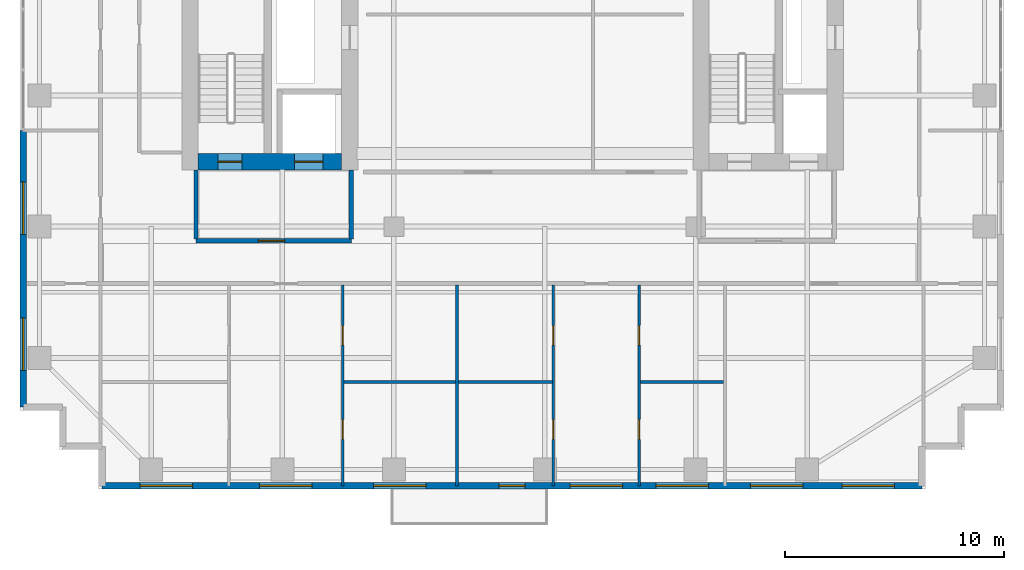
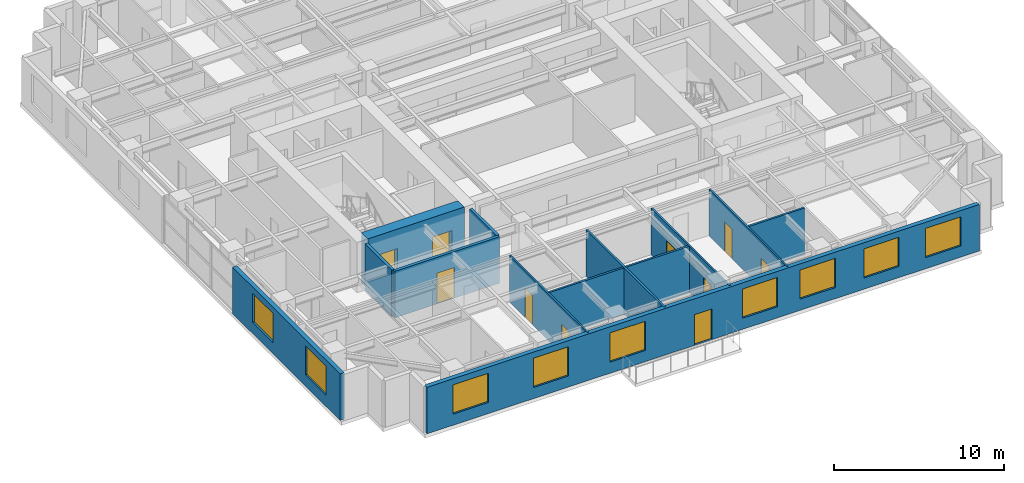
# One storey, part 8 of 16: 13 walls, 10 doors, 9 windows, 19 openings.
"""IFC4 building model written with IfcOpenShell, lengths in metres."""

from ifc_helpers import new_model, si_unit, direction, frame, frame_2d, origin, place, context, subcontext, project, spatial, rectangle, extrude, source, transform, mapped, material, layer, layer_set, type_object, element, fill, save


model = new_model("IFC4")

# Units and contexts
model_context = context("Model", 3, precision=1e-05, world=origin(), true_north=direction((0.0, 1.0)))
body_context = subcontext(model_context, "Body", "Model", "MODEL_VIEW")
ifc_project = project(units=[si_unit("LENGTHUNIT", "METRE"), si_unit("AREAUNIT", "SQUARE_METRE"), si_unit("VOLUMEUNIT", "CUBIC_METRE"), si_unit("PLANEANGLEUNIT", "RADIAN"), si_unit("MASSUNIT", "GRAM", prefix="KILO")], contexts=[model_context])

# Site, building, storey
site_placement = place(None, origin())
site = spatial("IfcSite", under=ifc_project, at=site_placement, CompositionType="ELEMENT")
building_placement = place(site_placement, origin())
building = spatial("IfcBuilding", under=site, at=building_placement, Name="Khoralis Quay Care Tower", CompositionType="ELEMENT")
storey_placement = place(building_placement, frame((0.0, 0.0, 137.699951171875)))
storey = spatial("IfcBuildingStorey", under=building, at=storey_placement, Name="L36", CompositionType="ELEMENT", Elevation=137.699951171875)

# Wall, opening, door
ifc_material_1 = material(Name="Gypsum plasterboard on acoustic metal stud")
ifc_layer_1 = layer(ifc_material_1, 0.199951171875)
ifc_layer_set_1 = layer_set([ifc_layer_1], Name="Gypsum plasterboard on acoustic metal stud")
wall_type_1 = type_object("IfcWallType", Name="WL-COMP-200", PredefinedType="PARTITIONING", material=ifc_layer_set_1)
wall_1_placement = place(storey_placement, frame((8.050048828125, 11.35009765625, 0.0), z_axis=(0.0, 0.0, 1.0), x_axis=(1.0, 0.0, 0.0)))
wall_1 = element("IfcWall", 1, at=wall_1_placement, inside=storey, type_object=wall_type_1, Name="L36 West Firefighting Lobby South Wall", PredefinedType="PARTITIONING", context=body_context, shape_type="SweptSolid", body=[
    extrude(rectangle(XDim=7.099853515625, YDim=0.199951171875, at=frame_2d((3.5498046875, 0.0))), origin(), (0.0, 0.0, 1.0), 3.340087890625),
])
opening_1_placement = place(wall_1_placement, frame((2.846435546875, 0.0, 0.0)))
opening_1 = element("IfcOpeningElement", 2, at=opening_1_placement, cuts=wall_1, Name="Opening FD1", PredefinedType="OPENING", context=body_context, shape_type="SweptSolid", body=[
    extrude(rectangle(XDim=1.199951171875, YDim=2.199951171875, at=frame_2d((0.60009765625, 1.10009765625))), frame((0.0, 0.10986328125, 0.0), z_axis=(0.0, -1.0, 0.0), x_axis=(1.0, 0.0, 0.0)), (0.0, 0.0, 1.0), 0.219970703125),
])
ifc_material_2 = material(Name="Fire-rated painted steel", Category="steel")
door_type_1 = type_object("IfcDoorType", Name="DR-FFL-1200X2200", OperationType="NOTDEFINED", PredefinedType="DOOR", material=ifc_material_2)
shared_shape_1 = source(origin(), body_context, "Body", "SweptSolid", [
    extrude(rectangle(XDim=1.199951171875, YDim=2.199951171875, at=frame_2d((0.60009765625, 1.10009765625))), frame((0.0, 0.02490234375, 0.0), z_axis=(0.0, -1.0, 0.0), x_axis=(1.0, 0.0, 0.0)), (0.0, 0.0, 1.0), 0.050048828125),
])
door_1_placement = place(opening_1_placement, origin())
door_1 = element("IfcDoor", 3, at=door_1_placement, inside=storey, type_object=door_type_1, Name="L36 West Firefighting Lobby Fire Door", OperationType="SINGLE_SWING_RIGHT", OverallHeight=2.199951171875, OverallWidth=1.199951171875, PredefinedType="DOOR", context=body_context, shape_type="MappedRepresentation", body=[
    mapped(shared_shape_1, transform((0.0, 0.0, 0.0), scale=1.0)),
])
fill(opening_1, door_1)

# Walls
for number, where, z_axis, x_axis, name in (
    (4, (8.050048828125, 11.445068359375, 0.0), (0.0, 0.0, 1.0), (0.0, 1.0, 0.0), "L36 West Firefighting Lobby West Wall"),
    (5, (15.14990234375, 11.445068359375, 0.0), (0.0, 0.0, 1.0), (0.0, 1.0, 0.0), "L36 West Firefighting Lobby East Wall"),
):
    element("IfcWall", number, at=place(storey_placement, frame(where, z_axis=z_axis, x_axis=x_axis)), inside=storey, type_object=wall_type_1, Name=name, PredefinedType="PARTITIONING", context=body_context, shape_type="SweptSolid", body=[
        extrude(rectangle(XDim=3.135009765625, YDim=0.199951171875, at=frame_2d((1.5673828125, 0.0))), origin(), (0.0, 0.0, 1.0), 3.340087890625),
    ])

# Wall, openings, doors
ifc_material_3 = material(Name="Concrete C80/95", Category="concrete")
ifc_layer_2 = layer(ifc_material_3, 0.75)
ifc_layer_set_2 = layer_set([ifc_layer_2], Name="Concrete C80/95")
wall_type_2 = type_object("IfcWallType", Name="WL-CORE-750", PredefinedType="SHEAR", material=ifc_layer_set_2)
wall_2_placement = place(storey_placement, frame((8.14990234375, 14.97509765625, 0.0), z_axis=(0.0, 0.0, 1.0), x_axis=(1.0, 0.0, 0.0)))
wall_2 = element("IfcWall", 6, at=wall_2_placement, inside=storey, type_object=wall_type_2, Name="L36 WCORE South Shear Wall", PredefinedType="SHEAR", context=body_context, shape_type="SweptSolid", body=[
    extrude(rectangle(XDim=6.550048828125, YDim=0.75, at=frame_2d((3.27490234375, 0.0))), origin(), (0.0, 0.0, 1.0), 3.60009765625),
])
opening_2_placement = place(wall_2_placement, frame((0.89990234375, 0.0, 0.0)))
opening_2 = element("IfcOpeningElement", 7, at=opening_2_placement, cuts=wall_2, Name="Opening SD1", PredefinedType="OPENING", context=body_context, shape_type="SweptSolid", body=[
    extrude(rectangle(XDim=1.10009765625, YDim=2.199951171875, at=frame_2d((0.550048828125, 1.10009765625))), frame((0.0, 0.385009765625, 0.0), z_axis=(0.0, -1.0, 0.0), x_axis=(1.0, 0.0, 0.0)), (0.0, 0.0, 1.0), 0.77001953125),
])
opening_3_placement = place(wall_2_placement, frame((4.39990234375, 0.0, 0.0)))
opening_3 = element("IfcOpeningElement", 8, at=opening_3_placement, cuts=wall_2, Name="Opening LD2", PredefinedType="OPENING", context=body_context, shape_type="SweptSolid", body=[
    extrude(rectangle(XDim=1.300048828125, YDim=2.199951171875, at=frame_2d((0.64990234375, 1.10009765625))), frame((0.0, 0.385009765625, 0.0), z_axis=(0.0, -1.0, 0.0), x_axis=(1.0, 0.0, 0.0)), (0.0, 0.0, 1.0), 0.77001953125),
])
door_type_2 = type_object("IfcDoorType", Name="DR-STAIR-1100X2200", OperationType="NOTDEFINED", PredefinedType="DOOR", material=ifc_material_2)
shared_shape_2 = source(origin(), body_context, "Body", "SweptSolid", [
    extrude(rectangle(XDim=1.10009765625, YDim=2.199951171875, at=frame_2d((0.550048828125, 1.10009765625))), frame((0.0, 0.02490234375, 0.0), z_axis=(0.0, -1.0, 0.0), x_axis=(1.0, 0.0, 0.0)), (0.0, 0.0, 1.0), 0.050048828125),
])
door_2_placement = place(opening_2_placement, origin())
door_2 = element("IfcDoor", 9, at=door_2_placement, inside=storey, type_object=door_type_2, Name="L36 Stair ST-T1 Fire Door", OperationType="SINGLE_SWING_RIGHT", OverallHeight=2.199951171875, OverallWidth=1.10009765625, PredefinedType="DOOR", context=body_context, shape_type="MappedRepresentation", body=[
    mapped(shared_shape_2, transform((0.0, 0.0, 0.0), scale=1.0)),
])
fill(opening_2, door_2)
ifc_material_4 = material(Name="Brushed stainless steel", Category="steel")
door_type_3 = type_object("IfcDoorType", Name="DR-LIFT-1300X2200", OperationType="SLIDING_TO_RIGHT", PredefinedType="DOOR", material=ifc_material_4)
shared_shape_3 = source(origin(), body_context, "Body", "SweptSolid", [
    extrude(rectangle(XDim=1.300048828125, YDim=2.199951171875, at=frame_2d((0.64990234375, 1.10009765625))), frame((0.0, 0.02490234375, 0.0), z_axis=(0.0, -1.0, 0.0), x_axis=(1.0, 0.0, 0.0)), (0.0, 0.0, 1.0), 0.050048828125),
])
door_3_placement = place(opening_3_placement, origin())
door_3 = element("IfcDoor", 10, at=door_3_placement, inside=storey, type_object=door_type_3, Name="L36 Firefighting Lift FFL-1 Landing Door", OperationType="SLIDING_TO_RIGHT", OverallHeight=2.199951171875, OverallWidth=1.300048828125, PredefinedType="DOOR", context=body_context, shape_type="MappedRepresentation", body=[
    mapped(shared_shape_3, transform((0.0, 0.0, 0.0), scale=1.0)),
])
fill(opening_3, door_3)

# Wall, openings, windows, door
ifc_material_5 = material(Name="Precast concrete C45/55", Category="concrete")
ifc_layer_3 = layer(ifc_material_5, 0.300048828125)
ifc_layer_set_3 = layer_set([ifc_layer_3], Name="Precast concrete C45/55")
wall_type_3 = type_object("IfcWallType", Name="WL-EXT-REF-300", PredefinedType="SOLIDWALL", material=ifc_layer_set_3)
wall_3_placement = place(storey_placement, frame((3.75, 0.14990234375, 0.0), z_axis=(0.0, 0.0, 1.0), x_axis=(1.0, 0.0, 0.0)))
wall_3 = element("IfcWall", 11, at=wall_3_placement, inside=storey, type_object=wall_type_3, Name="L36 External Facade Wall WL-EXT-L36-P1-E0", PredefinedType="SOLIDWALL", context=body_context, shape_type="SweptSolid", body=[
    extrude(rectangle(XDim=37.5, YDim=0.300048828125, at=frame_2d((18.75, 0.0))), origin(), (0.0, 0.0, 1.0), 3.340087890625),
])
opening_4_placement = place(wall_3_placement, frame((1.7490234375, 0.0, 0.800048828125)))
opening_4 = element("IfcOpeningElement", 12, at=opening_4_placement, cuts=wall_3, Name="Opening W1", PredefinedType="OPENING", context=body_context, shape_type="SweptSolid", body=[
    extrude(rectangle(XDim=2.39990234375, YDim=2.10009765625, at=frame_2d((1.199951171875, 1.050048828125))), frame((0.0, 0.16015625, 0.0), z_axis=(0.0, -1.0, 0.0), x_axis=(1.0, 0.0, 0.0)), (0.0, 0.0, 1.0), 0.320068359375),
])
opening_5_placement = place(wall_3_placement, frame((7.2060546875, 0.0, 0.800048828125)))
opening_5 = element("IfcOpeningElement", 13, at=opening_5_placement, cuts=wall_3, Name="Opening W1", PredefinedType="OPENING", context=body_context, shape_type="SweptSolid", body=[
    extrude(rectangle(XDim=2.39990234375, YDim=2.10009765625, at=frame_2d((1.199951171875, 1.050048828125))), frame((0.0, 0.16015625, 0.0), z_axis=(0.0, -1.0, 0.0), x_axis=(1.0, 0.0, 0.0)), (0.0, 0.0, 1.0), 0.320068359375),
])
opening_6_placement = place(wall_3_placement, frame((12.422119140625, 0.0, 0.800048828125)))
opening_6 = element("IfcOpeningElement", 14, at=opening_6_placement, cuts=wall_3, Name="Opening W1", PredefinedType="OPENING", context=body_context, shape_type="SweptSolid", body=[
    extrude(rectangle(XDim=2.39990234375, YDim=2.10009765625, at=frame_2d((1.199951171875, 1.050048828125))), frame((0.0, 0.16015625, 0.0), z_axis=(0.0, -1.0, 0.0), x_axis=(1.0, 0.0, 0.0)), (0.0, 0.0, 1.0), 0.320068359375),
])
opening_7_placement = place(wall_3_placement, frame((21.405517578125, 0.0, 0.800048828125)))
opening_7 = element("IfcOpeningElement", 15, at=opening_7_placement, cuts=wall_3, Name="Opening W1", PredefinedType="OPENING", context=body_context, shape_type="SweptSolid", body=[
    extrude(rectangle(XDim=2.39990234375, YDim=2.10009765625, at=frame_2d((1.199951171875, 1.050048828125))), frame((0.0, 0.16015625, 0.0), z_axis=(0.0, -1.0, 0.0), x_axis=(1.0, 0.0, 0.0)), (0.0, 0.0, 1.0), 0.320068359375),
])
opening_8_placement = place(wall_3_placement, frame((25.32861328125, 0.0, 0.800048828125)))
opening_8 = element("IfcOpeningElement", 16, at=opening_8_placement, cuts=wall_3, Name="Opening W1", PredefinedType="OPENING", context=body_context, shape_type="SweptSolid", body=[
    extrude(rectangle(XDim=2.39990234375, YDim=2.10009765625, at=frame_2d((1.199951171875, 1.050048828125))), frame((0.0, 0.16015625, 0.0), z_axis=(0.0, -1.0, 0.0), x_axis=(1.0, 0.0, 0.0)), (0.0, 0.0, 1.0), 0.320068359375),
])
opening_9_placement = place(wall_3_placement, frame((29.6474609375, 0.0, 0.800048828125)))
opening_9 = element("IfcOpeningElement", 17, at=opening_9_placement, cuts=wall_3, Name="Opening W1", PredefinedType="OPENING", context=body_context, shape_type="SweptSolid", body=[
    extrude(rectangle(XDim=2.39990234375, YDim=2.10009765625, at=frame_2d((1.199951171875, 1.050048828125))), frame((0.0, 0.16015625, 0.0), z_axis=(0.0, -1.0, 0.0), x_axis=(1.0, 0.0, 0.0)), (0.0, 0.0, 1.0), 0.320068359375),
])
opening_10_placement = place(wall_3_placement, frame((33.842529296875, 0.0, 0.800048828125)))
opening_10 = element("IfcOpeningElement", 18, at=opening_10_placement, cuts=wall_3, Name="Opening W1", PredefinedType="OPENING", context=body_context, shape_type="SweptSolid", body=[
    extrude(rectangle(XDim=2.39990234375, YDim=2.10009765625, at=frame_2d((1.199951171875, 1.050048828125))), frame((0.0, 0.16015625, 0.0), z_axis=(0.0, -1.0, 0.0), x_axis=(1.0, 0.0, 0.0)), (0.0, 0.0, 1.0), 0.320068359375),
])
opening_11_placement = place(wall_3_placement, frame((18.14990234375, 0.0, 0.0)))
opening_11 = element("IfcOpeningElement", 19, at=opening_11_placement, cuts=wall_3, Name="Opening BD1", PredefinedType="OPENING", context=body_context, shape_type="SweptSolid", body=[
    extrude(rectangle(XDim=1.199951171875, YDim=2.199951171875, at=frame_2d((0.60009765625, 1.10009765625))), frame((0.0, 0.16015625, 0.0), z_axis=(0.0, -1.0, 0.0), x_axis=(1.0, 0.0, 0.0)), (0.0, 0.0, 1.0), 0.320068359375),
])
ifc_material_6 = material(Name="Low-E solar-control double glazing", Category="glass")
window_type = type_object("IfcWindowType", Name="WN-POD-2400X2100", PartitioningType="SINGLE_PANEL", PredefinedType="WINDOW", material=ifc_material_6)
shared_shape_4 = source(origin(), body_context, "Body", "SweptSolid", [
    extrude(rectangle(XDim=2.39990234375, YDim=2.10009765625, at=frame_2d((1.199951171875, 1.050048828125))), frame((0.0, 0.030029296875, 0.0), z_axis=(0.0, -1.0, 0.0), x_axis=(1.0, 0.0, 0.0)), (0.0, 0.0, 1.0), 0.06005859375),
])
window_1_placement = place(opening_4_placement, origin())
window_1 = element("IfcWindow", 20, at=window_1_placement, inside=storey, type_object=window_type, Name="WN-L36-P1-E0 Facade Window 01", OverallHeight=2.10009765625, OverallWidth=2.39990234375, PartitioningType="SINGLE_PANEL", PredefinedType="WINDOW", context=body_context, shape_type="MappedRepresentation", body=[
    mapped(shared_shape_4, transform((0.0, 0.0, 0.0), scale=1.0)),
])
fill(opening_4, window_1)
window_2_placement = place(opening_5_placement, origin())
window_2 = element("IfcWindow", 21, at=window_2_placement, inside=storey, type_object=window_type, Name="WN-L36-P1-E0 Facade Window 02", OverallHeight=2.10009765625, OverallWidth=2.39990234375, PartitioningType="SINGLE_PANEL", PredefinedType="WINDOW", context=body_context, shape_type="MappedRepresentation", body=[
    mapped(shared_shape_4, transform((0.0, 0.0, 0.0), scale=1.0)),
])
fill(opening_5, window_2)
window_3_placement = place(opening_6_placement, origin())
window_3 = element("IfcWindow", 22, at=window_3_placement, inside=storey, type_object=window_type, Name="WN-L36-P1-E0 Facade Window 03", OverallHeight=2.10009765625, OverallWidth=2.39990234375, PartitioningType="SINGLE_PANEL", PredefinedType="WINDOW", context=body_context, shape_type="MappedRepresentation", body=[
    mapped(shared_shape_4, transform((0.0, 0.0, 0.0), scale=1.0)),
])
fill(opening_6, window_3)
window_4_placement = place(opening_7_placement, origin())
window_4 = element("IfcWindow", 23, at=window_4_placement, inside=storey, type_object=window_type, Name="WN-L36-P1-E0 Facade Window 04", OverallHeight=2.10009765625, OverallWidth=2.39990234375, PartitioningType="SINGLE_PANEL", PredefinedType="WINDOW", context=body_context, shape_type="MappedRepresentation", body=[
    mapped(shared_shape_4, transform((0.0, 0.0, 0.0), scale=1.0)),
])
fill(opening_7, window_4)
window_5_placement = place(opening_8_placement, origin())
window_5 = element("IfcWindow", 24, at=window_5_placement, inside=storey, type_object=window_type, Name="WN-L36-P1-E0 Facade Window 05", OverallHeight=2.10009765625, OverallWidth=2.39990234375, PartitioningType="SINGLE_PANEL", PredefinedType="WINDOW", context=body_context, shape_type="MappedRepresentation", body=[
    mapped(shared_shape_4, transform((0.0, 0.0, 0.0), scale=1.0)),
])
fill(opening_8, window_5)
window_6_placement = place(opening_9_placement, origin())
window_6 = element("IfcWindow", 25, at=window_6_placement, inside=storey, type_object=window_type, Name="WN-L36-P1-E0 Facade Window 06", OverallHeight=2.10009765625, OverallWidth=2.39990234375, PartitioningType="SINGLE_PANEL", PredefinedType="WINDOW", context=body_context, shape_type="MappedRepresentation", body=[
    mapped(shared_shape_4, transform((0.0, 0.0, 0.0), scale=1.0)),
])
fill(opening_9, window_6)
window_7_placement = place(opening_10_placement, origin())
window_7 = element("IfcWindow", 26, at=window_7_placement, inside=storey, type_object=window_type, Name="WN-L36-P1-E0 Facade Window 07", OverallHeight=2.10009765625, OverallWidth=2.39990234375, PartitioningType="SINGLE_PANEL", PredefinedType="WINDOW", context=body_context, shape_type="MappedRepresentation", body=[
    mapped(shared_shape_4, transform((0.0, 0.0, 0.0), scale=1.0)),
])
fill(opening_10, window_7)
ifc_material_7 = material(Name="Anodised aluminium and laminated safety glass", Category="aluminium")
door_type_4 = type_object("IfcDoorType", Name="DR-EXT-BALC-1200X2200", OperationType="NOTDEFINED", PredefinedType="DOOR", material=ifc_material_7)
shared_shape_5 = source(origin(), body_context, "Body", "SweptSolid", [
    extrude(rectangle(XDim=1.199951171875, YDim=2.199951171875, at=frame_2d((0.60009765625, 1.10009765625))), frame((0.0, 0.02490234375, 0.0), z_axis=(0.0, -1.0, 0.0), x_axis=(1.0, 0.0, 0.0)), (0.0, 0.0, 1.0), 0.050048828125),
])
door_4_placement = place(opening_11_placement, frame((1.199951171875, 0.0, 0.0), z_axis=(0.0, 0.0, 1.0), x_axis=(-1.0, 0.0, 0.0)))
door_4 = element("IfcDoor", 27, at=door_4_placement, inside=storey, type_object=door_type_4, Name="L36 Senior Loggia Balcony Door", OperationType="SINGLE_SWING_LEFT", OverallHeight=2.199951171875, OverallWidth=1.199951171875, PredefinedType="DOOR", context=body_context, shape_type="MappedRepresentation", body=[
    mapped(shared_shape_5, transform((0.0, 0.0, 0.0), scale=1.0)),
])
fill(opening_11, door_4)

# Wall, openings, windows
wall_4_placement = place(storey_placement, frame((0.14990234375, 16.39990234375, 0.0), z_axis=(0.0, 0.0, 1.0), x_axis=(0.0, -1.0, 0.0)))
wall_4 = element("IfcWall", 28, at=wall_4_placement, inside=storey, type_object=wall_type_3, Name="L36 External Facade Wall WL-EXT-L36-P1-E15B", PredefinedType="SOLIDWALL", context=body_context, shape_type="SweptSolid", body=[
    extrude(rectangle(XDim=12.64990234375, YDim=0.300048828125, at=frame_2d((6.324951171875, 0.0))), origin(), (0.0, 0.0, 1.0), 3.340087890625),
])
opening_12_placement = place(wall_4_placement, frame((2.35009765625, 0.0, 0.800048828125)))
opening_12 = element("IfcOpeningElement", 29, at=opening_12_placement, cuts=wall_4, Name="Opening W1", PredefinedType="OPENING", context=body_context, shape_type="SweptSolid", body=[
    extrude(rectangle(XDim=2.39990234375, YDim=2.10009765625, at=frame_2d((1.199951171875, 1.050048828125))), frame((0.0, 0.16015625, 0.0), z_axis=(0.0, -1.0, 0.0), x_axis=(1.0, 0.0, 0.0)), (0.0, 0.0, 1.0), 0.320068359375),
])
opening_13_placement = place(wall_4_placement, frame((8.574951171875, 0.0, 0.800048828125)))
opening_13 = element("IfcOpeningElement", 30, at=opening_13_placement, cuts=wall_4, Name="Opening W1", PredefinedType="OPENING", context=body_context, shape_type="SweptSolid", body=[
    extrude(rectangle(XDim=2.39990234375, YDim=2.10009765625, at=frame_2d((1.199951171875, 1.050048828125))), frame((0.0, 0.16015625, 0.0), z_axis=(0.0, -1.0, 0.0), x_axis=(1.0, 0.0, 0.0)), (0.0, 0.0, 1.0), 0.320068359375),
])
window_8_placement = place(opening_12_placement, origin())
window_8 = element("IfcWindow", 31, at=window_8_placement, inside=storey, type_object=window_type, Name="WN-L36-P1-E15B Facade Window 01", OverallHeight=2.10009765625, OverallWidth=2.39990234375, PartitioningType="SINGLE_PANEL", PredefinedType="WINDOW", context=body_context, shape_type="MappedRepresentation", body=[
    mapped(shared_shape_4, transform((0.0, 0.0, 0.0), scale=1.0)),
])
fill(opening_12, window_8)
window_9_placement = place(opening_13_placement, origin())
window_9 = element("IfcWindow", 32, at=window_9_placement, inside=storey, type_object=window_type, Name="WN-L36-P1-E15B Facade Window 02", OverallHeight=2.10009765625, OverallWidth=2.39990234375, PartitioningType="SINGLE_PANEL", PredefinedType="WINDOW", context=body_context, shape_type="MappedRepresentation", body=[
    mapped(shared_shape_4, transform((0.0, 0.0, 0.0), scale=1.0)),
])
fill(opening_13, window_9)

# Wall, openings, doors
ifc_layer_4 = layer(ifc_material_1, 0.114990234375)
ifc_layer_set_4 = layer_set([ifc_layer_4], Name="Gypsum plasterboard on acoustic metal stud")
wall_type_4 = type_object("IfcWallType", Name="WL-PART-115", PredefinedType="PARTITIONING", material=ifc_layer_set_4)
wall_5_placement = place(storey_placement, frame((14.763916015625, 0.14501953125, 0.0), z_axis=(0.0, 0.0, 1.0), x_axis=(0.0, 1.0, 0.0)))
wall_5 = element("IfcWall", 33, at=wall_5_placement, inside=storey, type_object=wall_type_4, Name="L36 2BR 0 Right Wall", PredefinedType="PARTITIONING", context=body_context, shape_type="SweptSolid", body=[
    extrude(rectangle(XDim=9.177490234375, YDim=0.114990234375, at=frame_2d((4.5888671875, 0.0))), origin(), (0.0, 0.0, 1.0), 3.340087890625),
])
opening_14_placement = place(wall_5_placement, frame((2.1240234375, 0.0, 0.0)))
opening_14 = element("IfcOpeningElement", 34, at=opening_14_placement, cuts=wall_5, Name="Opening WD1", PredefinedType="OPENING", context=body_context, shape_type="SweptSolid", body=[
    extrude(rectangle(XDim=0.89990234375, YDim=2.10009765625, at=frame_2d((0.449951171875, 1.050048828125))), frame((0.0, 0.0673828125, 0.0), z_axis=(0.0, -1.0, 0.0), x_axis=(1.0, 0.0, 0.0)), (0.0, 0.0, 1.0), 0.135009765625),
])
opening_15_placement = place(wall_5_placement, frame((6.43408203125, 0.0, 0.0)))
opening_15 = element("IfcOpeningElement", 35, at=opening_15_placement, cuts=wall_5, Name="Opening WD1", PredefinedType="OPENING", context=body_context, shape_type="SweptSolid", body=[
    extrude(rectangle(XDim=0.89990234375, YDim=2.10009765625, at=frame_2d((0.449951171875, 1.050048828125))), frame((0.0, 0.0673828125, 0.0), z_axis=(0.0, -1.0, 0.0), x_axis=(1.0, 0.0, 0.0)), (0.0, 0.0, 1.0), 0.135009765625),
])
ifc_material_8 = material(Name="Acoustic hardwood timber", Category="wood")
door_type_5 = type_object("IfcDoorType", Name="DR-BATH-900X2100", OperationType="NOTDEFINED", PredefinedType="DOOR", material=ifc_material_8)
shared_shape_6 = source(origin(), body_context, "Body", "SweptSolid", [
    extrude(rectangle(XDim=0.89990234375, YDim=2.10009765625, at=frame_2d((0.449951171875, 1.050048828125))), frame((0.0, 0.02490234375, 0.0), z_axis=(0.0, -1.0, 0.0), x_axis=(1.0, 0.0, 0.0)), (0.0, 0.0, 1.0), 0.050048828125),
])
door_5_placement = place(opening_14_placement, frame((0.89990234375, 0.0, 0.0), z_axis=(0.0, 0.0, 1.0), x_axis=(-1.0, 0.0, 0.0)))
door_5 = element("IfcDoor", 36, at=door_5_placement, inside=storey, type_object=door_type_5, Name="L36 2BR BD2 Door", OperationType="SINGLE_SWING_LEFT", OverallHeight=2.10009765625, OverallWidth=0.89990234375, PredefinedType="DOOR", context=body_context, shape_type="MappedRepresentation", body=[
    mapped(shared_shape_6, transform((0.0, 0.0, 0.0), scale=1.0)),
])
fill(opening_14, door_5)
door_6_placement = place(opening_15_placement, frame((0.89990234375, 0.0, 0.0), z_axis=(0.0, 0.0, 1.0), x_axis=(-1.0, 0.0, 0.0)))
door_6 = element("IfcDoor", 37, at=door_6_placement, inside=storey, type_object=door_type_5, Name="L36 2BR KIT Door", OperationType="SINGLE_SWING_RIGHT", OverallHeight=2.10009765625, OverallWidth=0.89990234375, PredefinedType="DOOR", context=body_context, shape_type="MappedRepresentation", body=[
    mapped(shared_shape_6, transform((0.0, 0.0, 0.0), scale=1.0)),
])
fill(opening_15, door_6)

wall_6_placement = place(storey_placement, frame((24.39404296875, 0.14501953125, 0.0), z_axis=(0.0, 0.0, 1.0), x_axis=(0.0, 1.0, 0.0)))
wall_6 = element("IfcWall", 38, at=wall_6_placement, inside=storey, type_object=wall_type_4, Name="L36 2BR 1 Left Wall", PredefinedType="PARTITIONING", context=body_context, shape_type="SweptSolid", body=[
    extrude(rectangle(XDim=9.177490234375, YDim=0.114990234375, at=frame_2d((4.5888671875, 0.0))), origin(), (0.0, 0.0, 1.0), 3.340087890625),
])
opening_16_placement = place(wall_6_placement, frame((2.1240234375, 0.0, 0.0)))
opening_16 = element("IfcOpeningElement", 39, at=opening_16_placement, cuts=wall_6, Name="Opening WD1", PredefinedType="OPENING", context=body_context, shape_type="SweptSolid", body=[
    extrude(rectangle(XDim=0.89990234375, YDim=2.10009765625, at=frame_2d((0.449951171875, 1.050048828125))), frame((0.0, 0.0673828125, 0.0), z_axis=(0.0, -1.0, 0.0), x_axis=(1.0, 0.0, 0.0)), (0.0, 0.0, 1.0), 0.135009765625),
])
opening_17_placement = place(wall_6_placement, frame((6.43408203125, 0.0, 0.0)))
opening_17 = element("IfcOpeningElement", 40, at=opening_17_placement, cuts=wall_6, Name="Opening WD1", PredefinedType="OPENING", context=body_context, shape_type="SweptSolid", body=[
    extrude(rectangle(XDim=0.89990234375, YDim=2.10009765625, at=frame_2d((0.449951171875, 1.050048828125))), frame((0.0, 0.0673828125, 0.0), z_axis=(0.0, -1.0, 0.0), x_axis=(1.0, 0.0, 0.0)), (0.0, 0.0, 1.0), 0.135009765625),
])
door_7_placement = place(opening_16_placement, origin())
door_7 = element("IfcDoor", 41, at=door_7_placement, inside=storey, type_object=door_type_5, Name="L36 2BR BD1 Door", OperationType="SINGLE_SWING_RIGHT", OverallHeight=2.10009765625, OverallWidth=0.89990234375, PredefinedType="DOOR", context=body_context, shape_type="MappedRepresentation", body=[
    mapped(shared_shape_6, transform((0.0, 0.0, 0.0), scale=1.0)),
])
fill(opening_16, door_7)
door_8_placement = place(opening_17_placement, origin())
door_8 = element("IfcDoor", 42, at=door_8_placement, inside=storey, type_object=door_type_5, Name="L36 2BR BTH Door", OperationType="SINGLE_SWING_LEFT", OverallHeight=2.10009765625, OverallWidth=0.89990234375, PredefinedType="DOOR", context=body_context, shape_type="MappedRepresentation", body=[
    mapped(shared_shape_6, transform((0.0, 0.0, 0.0), scale=1.0)),
])
fill(opening_17, door_8)

wall_7_placement = place(storey_placement, frame((28.31689453125, 0.14501953125, 0.0), z_axis=(0.0, 0.0, 1.0), x_axis=(0.0, 1.0, 0.0)))
wall_7 = element("IfcWall", 43, at=wall_7_placement, inside=storey, type_object=wall_type_4, Name="L36 2BR 1 Right Wall", PredefinedType="PARTITIONING", context=body_context, shape_type="SweptSolid", body=[
    extrude(rectangle(XDim=9.177490234375, YDim=0.114990234375, at=frame_2d((4.5888671875, 0.0))), origin(), (0.0, 0.0, 1.0), 3.340087890625),
])
opening_18_placement = place(wall_7_placement, frame((2.1240234375, 0.0, 0.0)))
opening_18 = element("IfcOpeningElement", 44, at=opening_18_placement, cuts=wall_7, Name="Opening WD1", PredefinedType="OPENING", context=body_context, shape_type="SweptSolid", body=[
    extrude(rectangle(XDim=0.89990234375, YDim=2.10009765625, at=frame_2d((0.449951171875, 1.050048828125))), frame((0.0, 0.0673828125, 0.0), z_axis=(0.0, -1.0, 0.0), x_axis=(1.0, 0.0, 0.0)), (0.0, 0.0, 1.0), 0.135009765625),
])
opening_19_placement = place(wall_7_placement, frame((6.43408203125, 0.0, 0.0)))
opening_19 = element("IfcOpeningElement", 45, at=opening_19_placement, cuts=wall_7, Name="Opening WD1", PredefinedType="OPENING", context=body_context, shape_type="SweptSolid", body=[
    extrude(rectangle(XDim=0.89990234375, YDim=2.10009765625, at=frame_2d((0.449951171875, 1.050048828125))), frame((0.0, 0.0673828125, 0.0), z_axis=(0.0, -1.0, 0.0), x_axis=(1.0, 0.0, 0.0)), (0.0, 0.0, 1.0), 0.135009765625),
])
door_9_placement = place(opening_18_placement, frame((0.89990234375, 0.0, 0.0), z_axis=(0.0, 0.0, 1.0), x_axis=(-1.0, 0.0, 0.0)))
door_9 = element("IfcDoor", 46, at=door_9_placement, inside=storey, type_object=door_type_5, Name="L36 2BR BD2 Door", OperationType="SINGLE_SWING_RIGHT", OverallHeight=2.10009765625, OverallWidth=0.89990234375, PredefinedType="DOOR", context=body_context, shape_type="MappedRepresentation", body=[
    mapped(shared_shape_6, transform((0.0, 0.0, 0.0), scale=1.0)),
])
fill(opening_18, door_9)
door_10_placement = place(opening_19_placement, frame((0.89990234375, 0.0, 0.0), z_axis=(0.0, 0.0, 1.0), x_axis=(-1.0, 0.0, 0.0)))
door_10 = element("IfcDoor", 47, at=door_10_placement, inside=storey, type_object=door_type_5, Name="L36 2BR KIT Door", OperationType="SINGLE_SWING_LEFT", OverallHeight=2.10009765625, OverallWidth=0.89990234375, PredefinedType="DOOR", context=body_context, shape_type="MappedRepresentation", body=[
    mapped(shared_shape_6, transform((0.0, 0.0, 0.0), scale=1.0)),
])
fill(opening_19, door_10)

# Walls
ifc_material_9 = material(Name="Moisture-resistant gypsum and ceramic tile")
ifc_layer_5 = layer(ifc_material_9, 0.280029296875)
ifc_layer_set_5 = layer_set([ifc_layer_5], Name="Moisture-resistant gypsum and ceramic tile")
wall_type_5 = type_object("IfcWallType", Name="WL-PLUMB-280", PredefinedType="PLUMBINGWALL", material=ifc_layer_set_5)
wall_8_placement = place(storey_placement, frame((14.81640625, 4.887939453125, 0.0), z_axis=(0.0, 0.0, 1.0), x_axis=(1.0, 0.0, 0.0)))
element("IfcWall", 48, at=wall_8_placement, inside=storey, type_object=wall_type_5, Name="L36 2BR 0 Right Split", PredefinedType="PLUMBINGWALL", context=body_context, shape_type="SweptSolid", body=[
    extrude(rectangle(XDim=5.0986328125, YDim=0.139892578125, at=frame_2d((2.54931640625, 0.0))), origin(), (0.0, 0.0, 1.0), 3.340087890625),
])
wall_9_placement = place(storey_placement, frame((20.044921875, 4.887939453125, 0.0), z_axis=(0.0, 0.0, 1.0), x_axis=(1.0, 0.0, 0.0)))
element("IfcWall", 49, at=wall_9_placement, inside=storey, type_object=wall_type_5, Name="L36 2BR 1 Left Split", PredefinedType="PLUMBINGWALL", context=body_context, shape_type="SweptSolid", body=[
    extrude(rectangle(XDim=4.296630859375, YDim=0.139892578125, at=frame_2d((2.1484375, 0.0))), origin(), (0.0, 0.0, 1.0), 3.340087890625),
])
wall_10_placement = place(storey_placement, frame((28.369384765625, 4.887939453125, 0.0), z_axis=(0.0, 0.0, 1.0), x_axis=(1.0, 0.0, 0.0)))
element("IfcWall", 50, at=wall_10_placement, inside=storey, type_object=wall_type_5, Name="L36 2BR 1 Right Split", PredefinedType="PLUMBINGWALL", context=body_context, shape_type="SweptSolid", body=[
    extrude(rectangle(XDim=3.8056640625, YDim=0.139892578125, at=frame_2d((1.90283203125, 0.0))), origin(), (0.0, 0.0, 1.0), 3.340087890625),
])
ifc_layer_6 = layer(ifc_material_1, 0.139892578125)
ifc_layer_set_6 = layer_set([ifc_layer_6], Name="Gypsum plasterboard on acoustic metal stud")
wall_type_6 = type_object("IfcWallType", Name="WL-UNIT-140", PredefinedType="PARTITIONING", material=ifc_layer_set_6)
wall_11_placement = place(storey_placement, frame((19.97998046875, 0.14501953125, 0.0), z_axis=(0.0, 0.0, 1.0), x_axis=(0.0, 1.0, 0.0)))
element("IfcWall", 51, at=wall_11_placement, inside=storey, type_object=wall_type_6, Name="L36 SB Demising Wall 1", PredefinedType="PARTITIONING", context=body_context, shape_type="SweptSolid", body=[
    extrude(rectangle(XDim=9.177490234375, YDim=0.139892578125, at=frame_2d((4.5888671875, 0.0))), origin(), (0.0, 0.0, 1.0), 3.340087890625),
])

save(model, "model.ifc")
